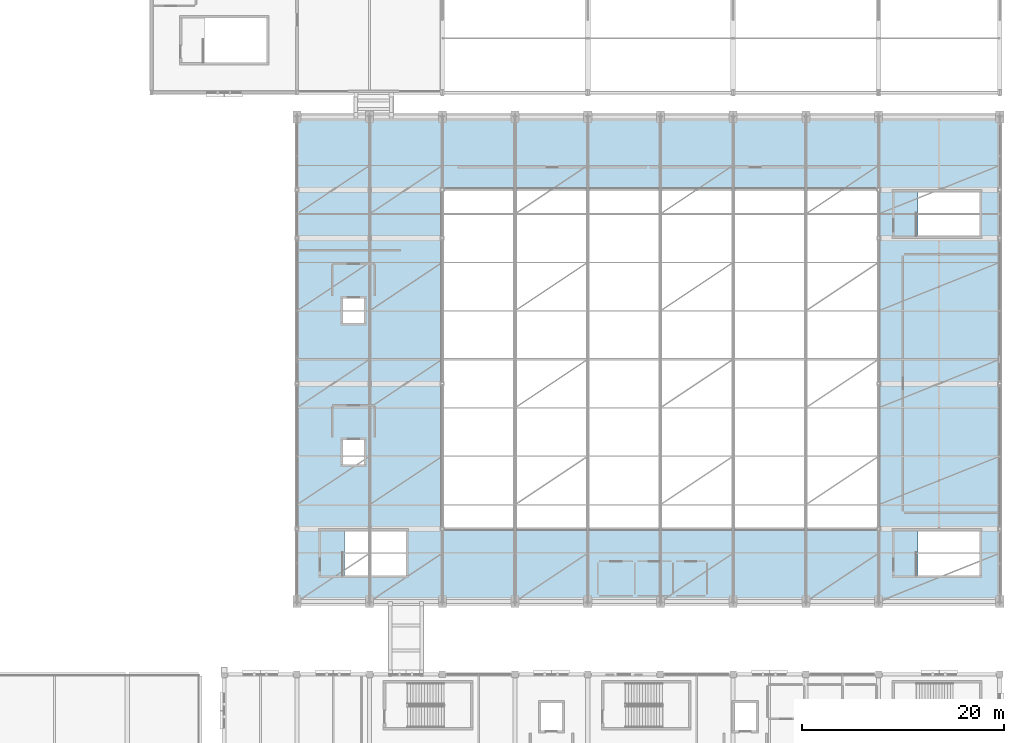
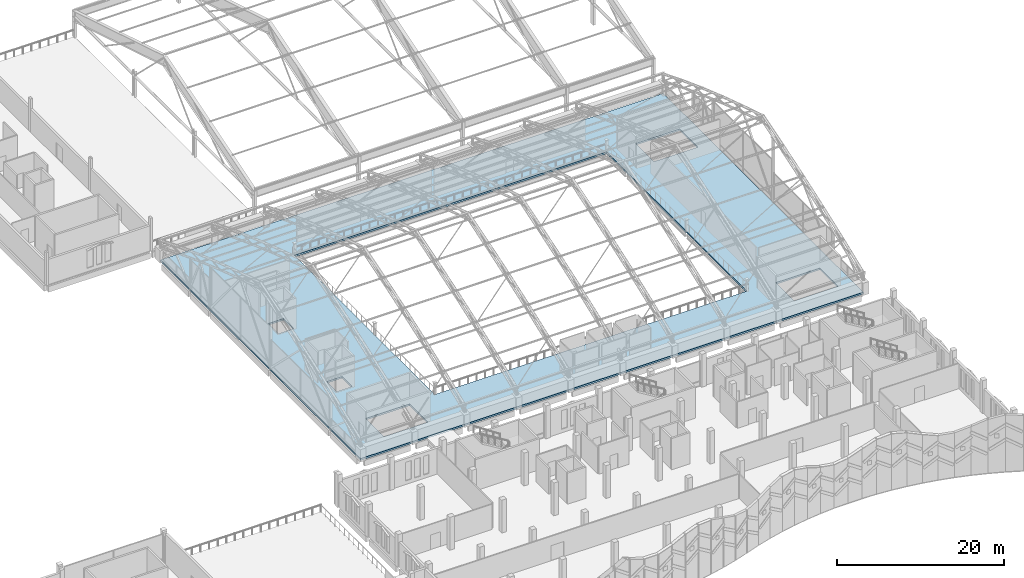
# One storey, part 67 of 116: 1 slab.
"""IFC4 building model written with IfcOpenShell, lengths in metres."""

import ifcopenshell
import ifcopenshell.guid

model = None  # the IFC model being written
_history = None  # IfcOwnerHistory: only IFC2X3 demands one
_inside = {}  # id of a spatial element -> (the spatial element, [elements in it])
_under = {}  # id of a project, library or spatial element -> (it, [spatial elements below it])
_declared = {}  # id of a project -> (the project, [libraries it declares])
_typed = {}  # id of a type object -> (the type object, [elements of that type])
_made_of = {}  # id of a material, layer set ... -> (it, [elements and type objects made of it])


def new_model(schema):
    """Start an empty IFC model of exactly this schema.

    Asked for "IFC4X3", IfcOpenShell would pick the latest addendum, in which some entities
    have other attributes; the version numbers below select the first issue.
    IFC2X3 requires an IfcOwnerHistory on every rooted entity: one is made here for all.
    """
    global model, _history
    if schema == "IFC4X3":
        model = ifcopenshell.file(schema_version=(4, 3, 0, 0))
    else:
        model = ifcopenshell.file(schema=schema)
    _inside.clear()
    _under.clear()
    _declared.clear()
    _typed.clear()
    _made_of.clear()
    _history = None
    if model.schema == "IFC2X3":
        org = make("IfcOrganization", Name="unknown")
        user = make(
            "IfcPersonAndOrganization",
            ThePerson=make("IfcPerson", FamilyName="unknown"),
            TheOrganization=org,
        )
        app = make(
            "IfcApplication",
            ApplicationDeveloper=org,
            Version="unknown",
            ApplicationFullName="unknown",
            ApplicationIdentifier="unknown",
        )
        _history = make(
            "IfcOwnerHistory",
            OwningUser=user,
            OwningApplication=app,
            ChangeAction="ADDED",
            CreationDate=0,
        )
    return model


def make(cls, **values):
    """One entity of the class cls with the attributes given. An attribute that is None is left unset."""
    return model.create_entity(
        cls, **{name: value for name, value in values.items() if value is not None}
    )


def rooted(cls, **values):
    """An entity with a GlobalId (a new one), such as an element, a storey or a relation."""
    return make(cls, GlobalId=ifcopenshell.guid.new(), OwnerHistory=_history, **values)


def si_unit(unit_type, name, prefix=None):
    """IfcSIUnit, for example si_unit("LENGTHUNIT", "METRE", prefix="MILLI")."""
    return make("IfcSIUnit", UnitType=unit_type, Prefix=prefix, Name=name)


def assignment(units):
    """IfcUnitAssignment: the units of a project."""
    return None if units is None else make("IfcUnitAssignment", Units=units)


def point(xyz):
    """IfcCartesianPoint."""
    return None if xyz is None else make("IfcCartesianPoint", Coordinates=xyz)


def direction(xyz):
    """IfcDirection."""
    return None if xyz is None else make("IfcDirection", DirectionRatios=xyz)


def frame(location, z_axis=None, x_axis=None):
    """IfcAxis2Placement3D, a coordinate frame: its origin and axes. An axis left out is left unset."""
    return make(
        "IfcAxis2Placement3D",
        Location=point(location),
        Axis=direction(z_axis),
        RefDirection=direction(x_axis),
    )


def origin():
    """The frame at (0, 0, 0) with its axes left unset."""
    return frame((0.0, 0.0, 0.0))


def place(relative_to, where):
    """IfcLocalPlacement: puts the frame where relative to a parent placement (None: the world)."""
    return make(
        "IfcLocalPlacement", PlacementRelTo=relative_to, RelativePlacement=where
    )


def context(
    kind, dimensions, precision=None, world=None, true_north=None, identifier=None
):
    """IfcGeometricRepresentationContext, for example the 3D "Model" context."""
    return make(
        "IfcGeometricRepresentationContext",
        ContextIdentifier=identifier,
        ContextType=kind,
        CoordinateSpaceDimension=dimensions,
        Precision=precision,
        WorldCoordinateSystem=world,
        TrueNorth=true_north,
    )


def subcontext(parent, identifier, kind, view, scale=None):
    """IfcGeometricRepresentationSubContext, for example "Body" below "Model"."""
    return make(
        "IfcGeometricRepresentationSubContext",
        ContextIdentifier=identifier,
        ContextType=kind,
        ParentContext=parent,
        TargetScale=scale,
        TargetView=view,
    )


def project(units=None, contexts=None):
    """IfcProject with its units and contexts."""
    return rooted(
        "IfcProject",
        Name="project",
        RepresentationContexts=contexts,
        UnitsInContext=assignment(units),
    )


def spatial(cls, under=None, at=None, **own):
    """A site, building, storey or space (cls), placed at a placement, below another one or the project."""
    s = rooted(cls, ObjectPlacement=at, **own)
    if under is not None:
        _under.setdefault(under.id(), (under, []))[1].append(s)
    return s


def polyline(points):
    """IfcPolyline through the points."""
    return make("IfcPolyline", Points=[point(p) for p in points])


def outline(outer, holes=None, kind="AREA"):
    """IfcArbitraryClosedProfileDef: a profile drawn as a closed curve; with holes, ...WithVoids."""
    if holes is None:
        return make("IfcArbitraryClosedProfileDef", ProfileType=kind, OuterCurve=outer)
    return make(
        "IfcArbitraryProfileDefWithVoids",
        ProfileType=kind,
        OuterCurve=outer,
        InnerCurves=holes,
    )


def extrude(swept, where, along, depth):
    """IfcExtrudedAreaSolid: the profile swept, set in the frame where, extruded along a direction by depth."""
    return make(
        "IfcExtrudedAreaSolid",
        SweptArea=swept,
        Position=where,
        ExtrudedDirection=direction(along),
        Depth=depth,
    )


def shape(context_of_items, identifier, shape_type, items):
    """IfcShapeRepresentation: the items that make up one representation, for example the "Body"."""
    return make(
        "IfcShapeRepresentation",
        ContextOfItems=context_of_items,
        RepresentationIdentifier=identifier,
        RepresentationType=shape_type,
        Items=items,
    )


def material(Name=None, Category=None):
    """IfcMaterial."""
    return make("IfcMaterial", Name=Name, Category=Category)


def layer(
    of_material, thickness, ventilated=None, Name=None, Category=None, Priority=None
):
    """IfcMaterialLayer: one layer of a wall or slab, of a material (None: an air gap)."""
    return make(
        "IfcMaterialLayer",
        Material=of_material,
        LayerThickness=thickness,
        IsVentilated=ventilated,
        Name=Name,
        Category=Category,
        Priority=Priority,
    )


def layer_set(layers, Name=None):
    """IfcMaterialLayerSet."""
    return make("IfcMaterialLayerSet", MaterialLayers=layers, LayerSetName=Name)


def made_of(thing, what):
    """Note that an element or type object is made of a material, layer set ...; save() writes the relation."""
    if what is not None:
        _made_of.setdefault(what.id(), (what, []))[1].append(thing)
    return thing


def type_object(cls, material=None, **own):
    """A type object (cls), such as IfcWallType, which elements share."""
    return made_of(rooted(cls, **own), material)


def element(
    cls,
    number,
    at=None,
    inside=None,
    cuts=None,
    type_object=None,
    material=None,
    context=None,
    identifier="Body",
    shape_type=None,
    held_by="IfcProductDefinitionShape",
    body=None,
    shapes=None,
    **own,
):
    """One element of the class cls, such as IfcWall. Its Tag is "e" and its number.

    at: its placement. inside: the storey or other place that contains it. cuts: it is an
    opening in that element (IfcRelVoidsElement). A single representation is given by context,
    identifier, shape_type and body (its items); several are given by shapes. held_by: the class
    of the entity that holds the representations. save() writes the other relations.
    """
    e = rooted(cls, Tag="e%d" % number, ObjectPlacement=at, **own)
    if body is not None:
        shapes = [shape(context, identifier, shape_type, body)]
    if shapes is not None:
        e.Representation = make(held_by, Representations=shapes)
    if inside is not None:
        _inside.setdefault(inside.id(), (inside, []))[1].append(e)
    if cuts is not None:
        rooted(
            "IfcRelVoidsElement", RelatingBuildingElement=cuts, RelatedOpeningElement=e
        )
    if type_object is not None:
        _typed.setdefault(type_object.id(), (type_object, []))[1].append(e)
    return made_of(e, material)


def aggregate(whole, parts):
    """IfcRelAggregates: a whole, such as a stair, and the parts it consists of."""
    return rooted("IfcRelAggregates", RelatingObject=whole, RelatedObjects=parts)


def save(model, path):
    """Write the relations noted so far, then the file.

    IfcRelAggregates (storeys below a building ...), IfcRelContainedInSpatialStructure (elements
    in a storey), IfcRelDefinesByType, IfcRelAssociatesMaterial and IfcRelDeclares: one each for
    every whole, place, type object, material and project.
    """
    for whole, parts in _under.values():
        aggregate(whole, parts)
    for where, things in _inside.values():
        rooted(
            "IfcRelContainedInSpatialStructure",
            RelatedElements=things,
            RelatingStructure=where,
        )
    for kind, things in _typed.values():
        rooted("IfcRelDefinesByType", RelatedObjects=things, RelatingType=kind)
    for what, things in _made_of.values():
        rooted("IfcRelAssociatesMaterial", RelatedObjects=things, RelatingMaterial=what)
    for by, libraries in _declared.values():
        rooted("IfcRelDeclares", RelatingContext=by, RelatedDefinitions=libraries)
    model.write(path)


model = new_model("IFC4")

# Units and contexts
model_context = context("Model", 3, precision=1e-05, world=origin(), true_north=direction((0.0, 1.0)))
body_context = subcontext(model_context, "Body", "Model", "MODEL_VIEW")
ifc_project = project(units=[si_unit("LENGTHUNIT", "METRE"), si_unit("AREAUNIT", "SQUARE_METRE"), si_unit("VOLUMEUNIT", "CUBIC_METRE"), si_unit("PLANEANGLEUNIT", "RADIAN"), si_unit("MASSUNIT", "GRAM", prefix="KILO")], contexts=[model_context])

# Site, building, storey
site_placement = place(None, origin())
site = spatial("IfcSite", under=ifc_project, at=site_placement, CompositionType="ELEMENT")
building_placement = place(site_placement, origin())
building = spatial("IfcBuilding", under=site, at=building_placement, Name="Cendralis Lancet Convention Centre", CompositionType="ELEMENT")
storey_placement = place(building_placement, frame((0.0, 0.0, 15.0)))
storey = spatial("IfcBuildingStorey", under=building, at=storey_placement, Name="L03", CompositionType="ELEMENT", Elevation=15.0)

# Slab
ifc_material = material(Name="Concrete G35 (C35/45)", Category="concrete")
ifc_layer = layer(ifc_material, 0.25, Name="Concrete G35 (C35/45)")
ifc_layer_set = layer_set([ifc_layer], Name="Concrete G35 (C35/45)")
slab_type = type_object("IfcSlabType", Name="STR-SL-FS25", PredefinedType="FLOOR", material=ifc_layer_set)
slab_placement = place(storey_placement, frame((0.0, 0.0, -0.25)))
element("IfcSlab", 1, at=slab_placement, inside=storey, type_object=slab_type, Name="L03 V2 Floor Slab FS-250", PredefinedType="FLOOR", context=body_context, shape_type="SweptSolid", body=[
    extrude(outline(polyline([(139.199951171875, 43.199951171875), (208.800048828125, 43.199951171875), (208.800048828125, 91.199951171875), (139.199951171875, 91.199951171875), (139.199951171875, 43.199951171875)]), holes=[polyline([(153.60009765625, 50.39990234375), (196.800048828125, 50.39990234375), (196.800048828125, 84.0), (153.60009765625, 84.0), (153.60009765625, 50.39990234375)]), polyline([(143.909912109375, 45.800048828125), (150.0, 45.800048828125), (150.0, 50.179931640625), (143.909912109375, 50.179931640625), (143.909912109375, 45.800048828125)]), polyline([(200.7099609375, 45.800048828125), (206.800048828125, 45.800048828125), (206.800048828125, 50.179931640625), (200.7099609375, 50.179931640625), (200.7099609375, 45.800048828125)]), polyline([(200.7099609375, 79.39990234375), (206.800048828125, 79.39990234375), (206.800048828125, 83.780029296875), (200.7099609375, 83.780029296875), (200.7099609375, 79.39990234375)]), polyline([(143.75, 56.800048828125), (145.85009765625, 56.800048828125), (145.85009765625, 59.199951171875), (143.75, 59.199951171875), (143.75, 56.800048828125)]), polyline([(143.75, 70.800048828125), (145.85009765625, 70.800048828125), (145.85009765625, 73.199951171875), (143.75, 73.199951171875), (143.75, 70.800048828125)])]), origin(), (0.0, 0.0, 1.0), 0.25),
])

save(model, "model.ifc")
